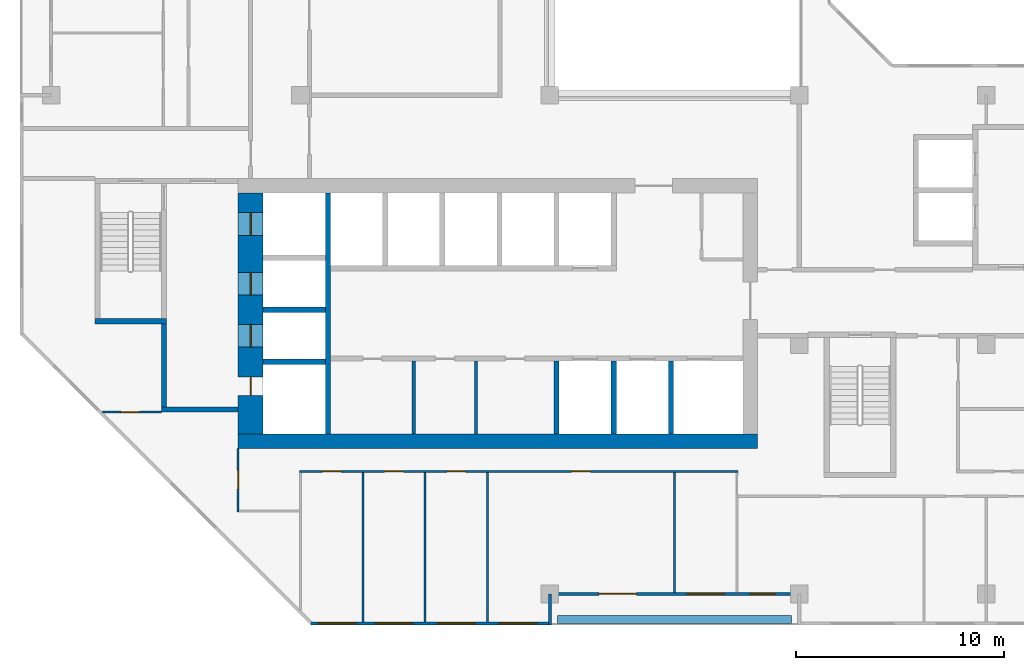
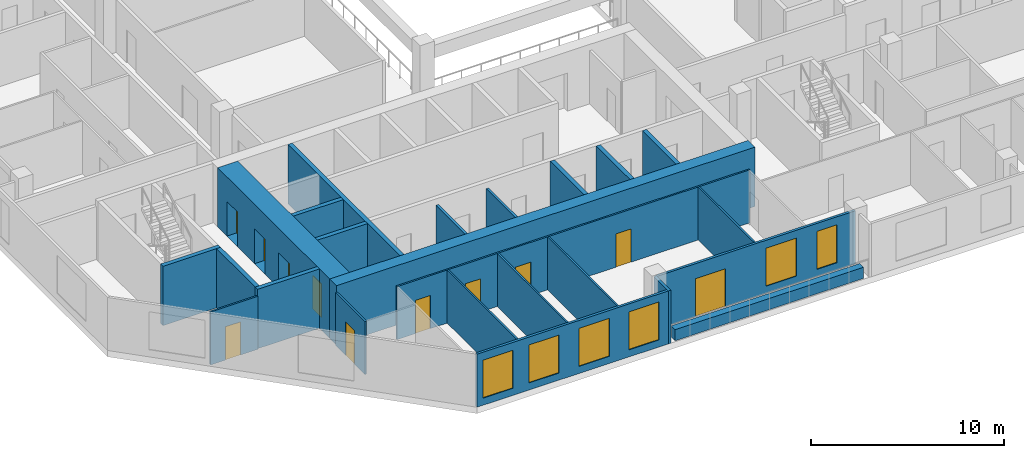
# One storey, part 4 of 16: 24 walls, 11 doors, 6 windows, 17 openings.
"""IFC4 building model written with IfcOpenShell, lengths in metres."""

from ifc_helpers import new_model, si_unit, direction, frame, frame_2d, origin, place, context, subcontext, project, spatial, rectangle, extrude, material, layer, layer_set, type_object, element, fill, save


model = new_model("IFC4")

# Units and contexts
model_context = context("Model", 3, precision=1e-05, world=origin(), true_north=direction((0.0, 1.0)))
body_context = subcontext(model_context, "Body", "Model", "MODEL_VIEW")
ifc_project = project(units=[si_unit("LENGTHUNIT", "METRE"), si_unit("AREAUNIT", "SQUARE_METRE"), si_unit("VOLUMEUNIT", "CUBIC_METRE"), si_unit("PLANEANGLEUNIT", "RADIAN"), si_unit("MASSUNIT", "GRAM", prefix="KILO")], contexts=[model_context])

# Site, building, storey
site_placement = place(None, origin())
site = spatial("IfcSite", under=ifc_project, at=site_placement, CompositionType="ELEMENT")
building_placement = place(site_placement, origin())
building = spatial("IfcBuilding", under=site, at=building_placement, Name="Chenar Terraces", CompositionType="ELEMENT")
storey_placement = place(building_placement, frame((0.0, 0.0, 222.89990234375)))
storey = spatial("IfcBuildingStorey", under=building, at=storey_placement, Name="L52", CompositionType="ELEMENT", Elevation=222.89990234375)

# Walls
ifc_material_1 = material(Name="Gypsum board on steel studs", Category="steel")
ifc_layer_1 = layer(ifc_material_1, 0.14990234375)
ifc_layer_set_1 = layer_set([ifc_layer_1], Name="Gypsum board on steel studs")
wall_type_1 = type_object("IfcWallType", Name="Core partition 150 gypsum board", PredefinedType="PARTITIONING", material=ifc_layer_set_1)
for number, where, z_axis, x_axis, name in (
    (1, (17.449951171875, 7.699951171875, 0.0), (0.0, 0.0, 1.0), (0.0, 1.0, 0.0), "Core partition CP1 freed bay wall"),
    (2, (20.449951171875, 7.699951171875, 0.0), (0.0, 0.0, 1.0), (0.0, 1.0, 0.0), "Core partition CP1 freed bay wall"),
):
    element("IfcWall", number, at=place(storey_placement, frame(where, z_axis=z_axis, x_axis=x_axis)), inside=storey, type_object=wall_type_1, Name=name, PredefinedType="PARTITIONING", context=body_context, shape_type="SweptSolid", body=[
        extrude(rectangle(XDim=3.5, YDim=0.14990234375, at=frame_2d((1.75, 0.0))), origin(), (0.0, 0.0, 1.0), 3.35009765625),
    ])

# Wall, openings, doors
ifc_material_2 = material(Name="Concrete C60/75", Category="concrete")
ifc_layer_2 = layer(ifc_material_2, 1.199951171875)
ifc_layer_set_2 = layer_set([ifc_layer_2], Name="Concrete C60/75")
wall_type_2 = type_object("IfcWallType", Name="Core wall 1200 Concrete C60/75", PredefinedType="SHEAR", material=ifc_layer_set_2)
wall_1_placement = place(storey_placement, frame((9.60009765625, 7.699951171875, 0.0), z_axis=(0.0, 0.0, 1.0), x_axis=(0.0, 1.0, 0.0)))
wall_1 = element("IfcWall", 3, at=wall_1_placement, inside=storey, type_object=wall_type_2, Name="Core wall W L52", PredefinedType="SHEAR", context=body_context, shape_type="SweptSolid", body=[
    extrude(rectangle(XDim=11.60009765625, YDim=1.199951171875, at=frame_2d((5.800048828125, 0.0))), origin(), (0.0, 0.0, 1.0), 3.75),
])
opening_1_placement = place(wall_1_placement, frame((4.175048828125, 0.0, 0.0)))
opening_1 = element("IfcOpeningElement", 4, at=opening_1_placement, cuts=wall_1, Name="Opening DL52-LD5", PredefinedType="OPENING", context=body_context, shape_type="SweptSolid", body=[
    extrude(rectangle(XDim=1.10009765625, YDim=2.199951171875, at=frame_2d((0.550048828125, 1.10009765625))), frame((0.0, 0.60986328125, 0.0), z_axis=(0.0, -1.0, 0.0), x_axis=(1.0, 0.0, 0.0)), (0.0, 0.0, 1.0), 1.219970703125),
])
opening_2_placement = place(wall_1_placement, frame((6.675048828125, 0.0, 0.0)))
opening_2 = element("IfcOpeningElement", 5, at=opening_2_placement, cuts=wall_1, Name="Opening DL52-LD6", PredefinedType="OPENING", context=body_context, shape_type="SweptSolid", body=[
    extrude(rectangle(XDim=1.10009765625, YDim=2.199951171875, at=frame_2d((0.550048828125, 1.10009765625))), frame((0.0, 0.60986328125, 0.0), z_axis=(0.0, -1.0, 0.0), x_axis=(1.0, 0.0, 0.0)), (0.0, 0.0, 1.0), 1.219970703125),
])
opening_3_placement = place(wall_1_placement, frame((9.550048828125, 0.0, 0.0)))
opening_3 = element("IfcOpeningElement", 6, at=opening_3_placement, cuts=wall_1, Name="Opening DL52-LD7", PredefinedType="OPENING", context=body_context, shape_type="SweptSolid", body=[
    extrude(rectangle(XDim=1.10009765625, YDim=2.199951171875, at=frame_2d((0.550048828125, 1.10009765625))), frame((0.0, 0.60986328125, 0.0), z_axis=(0.0, -1.0, 0.0), x_axis=(1.0, 0.0, 0.0)), (0.0, 0.0, 1.0), 1.219970703125),
])
opening_4_placement = place(wall_1_placement, frame((1.85009765625, 0.0, 0.0)))
opening_4 = element("IfcOpeningElement", 7, at=opening_4_placement, cuts=wall_1, Name="Opening DL52-C4", PredefinedType="OPENING", context=body_context, shape_type="SweptSolid", body=[
    extrude(rectangle(XDim=0.89990234375, YDim=2.10009765625, at=frame_2d((0.449951171875, 1.050048828125))), frame((0.0, 0.60986328125, 0.0), z_axis=(0.0, -1.0, 0.0), x_axis=(1.0, 0.0, 0.0)), (0.0, 0.0, 1.0), 1.219970703125),
])
ifc_material_3 = material(Name="Stainless steel", Category="steel")
door_type_1 = type_object("IfcDoorType", Name="Lift landing door 1100 x 2200 sliding", OperationType="DOUBLE_DOOR_SLIDING", PredefinedType="DOOR", material=ifc_material_3)
door_1_placement = place(opening_1_placement, origin())
door_1 = element("IfcDoor", 8, at=door_1_placement, inside=storey, type_object=door_type_1, Name="Landing door S1", OperationType="DOUBLE_DOOR_SLIDING", OverallHeight=2.199951171875, OverallWidth=1.10009765625, PredefinedType="DOOR", context=body_context, shape_type="SweptSolid", body=[
    extrude(rectangle(XDim=1.10009765625, YDim=2.199951171875, at=frame_2d((0.550048828125, 1.10009765625))), frame((0.0, 0.02490234375, 0.0), z_axis=(0.0, -1.0, 0.0), x_axis=(1.0, 0.0, 0.0)), (0.0, 0.0, 1.0), 0.050048828125),
])
fill(opening_1, door_1)
door_2_placement = place(opening_2_placement, origin())
door_2 = element("IfcDoor", 9, at=door_2_placement, inside=storey, type_object=door_type_1, Name="Landing door F1", OperationType="DOUBLE_DOOR_SLIDING", OverallHeight=2.199951171875, OverallWidth=1.10009765625, PredefinedType="DOOR", context=body_context, shape_type="SweptSolid", body=[
    extrude(rectangle(XDim=1.10009765625, YDim=2.199951171875, at=frame_2d((0.550048828125, 1.10009765625))), frame((0.0, 0.02490234375, 0.0), z_axis=(0.0, -1.0, 0.0), x_axis=(1.0, 0.0, 0.0)), (0.0, 0.0, 1.0), 0.050048828125),
])
fill(opening_2, door_2)
door_3_placement = place(opening_3_placement, origin())
door_3 = element("IfcDoor", 10, at=door_3_placement, inside=storey, type_object=door_type_1, Name="Landing door F2", OperationType="DOUBLE_DOOR_SLIDING", OverallHeight=2.199951171875, OverallWidth=1.10009765625, PredefinedType="DOOR", context=body_context, shape_type="SweptSolid", body=[
    extrude(rectangle(XDim=1.10009765625, YDim=2.199951171875, at=frame_2d((0.550048828125, 1.10009765625))), frame((0.0, 0.02490234375, 0.0), z_axis=(0.0, -1.0, 0.0), x_axis=(1.0, 0.0, 0.0)), (0.0, 0.0, 1.0), 0.050048828125),
])
fill(opening_3, door_3)
ifc_material_4 = material(Name="Steel-framed fire-resisting door leaf", Category="steel")
door_type_2 = type_object("IfcDoorType", Name="Riser fire door FD60 900 x 2100", OperationType="SINGLE_SWING_LEFT", PredefinedType="DOOR", material=ifc_material_4)
door_4_placement = place(opening_4_placement, frame((0.89990234375, 0.0, 0.0), z_axis=(0.0, 0.0, 1.0), x_axis=(-1.0, 0.0, 0.0)))
door_4 = element("IfcDoor", 11, at=door_4_placement, inside=storey, type_object=door_type_2, Name="Riser door DL52-C4", OperationType="SINGLE_SWING_LEFT", OverallHeight=2.10009765625, OverallWidth=0.89990234375, PredefinedType="DOOR", context=body_context, shape_type="SweptSolid", body=[
    extrude(rectangle(XDim=0.89990234375, YDim=2.10009765625, at=frame_2d((0.449951171875, 1.050048828125))), frame((0.0, 0.02490234375, 0.0), z_axis=(0.0, -1.0, 0.0), x_axis=(1.0, 0.0, 0.0)), (0.0, 0.0, 1.0), 0.050048828125),
])
fill(opening_4, door_4)

# Walls
ifc_material_5 = material(Name="Concrete C60/75", Category="concrete")
ifc_layer_3 = layer(ifc_material_5, 0.25)
ifc_layer_set_3 = layer_set([ifc_layer_3], Name="Concrete C60/75")
wall_type_3 = type_object("IfcWallType", Name="Core wall 250 Concrete C60/75", PredefinedType="SHEAR", material=ifc_layer_set_3)
wall_2_placement = place(storey_placement, frame((13.324951171875, 7.699951171875, 0.0), z_axis=(0.0, 0.0, 1.0), x_axis=(0.0, 1.0, 0.0)))
element("IfcWall", 12, at=wall_2_placement, inside=storey, type_object=wall_type_3, Name="Core wall WI L52", PredefinedType="SHEAR", context=body_context, shape_type="SweptSolid", body=[
    extrude(rectangle(XDim=11.60009765625, YDim=0.25, at=frame_2d((5.800048828125, 0.0))), origin(), (0.0, 0.0, 1.0), 3.75),
])
for number, where, z_axis, x_axis, name in (
    (13, (10.199951171875, 11.175048828125, 0.0), (0.0, 0.0, 1.0), (1.0, 0.0, 0.0), "Core wall HW0 L52"),
    (14, (10.199951171875, 13.675048828125, 0.0), (0.0, 0.0, 1.0), (1.0, 0.0, 0.0), "Core wall HW1 L52"),
):
    element("IfcWall", number, at=place(storey_placement, frame(where, z_axis=z_axis, x_axis=x_axis)), inside=storey, type_object=wall_type_3, Name=name, PredefinedType="SHEAR", context=body_context, shape_type="SweptSolid", body=[
        extrude(rectangle(XDim=3.0, YDim=0.25, at=frame_2d((1.5, 0.0))), origin(), (0.0, 0.0, 1.0), 3.75),
    ])
for number, where, z_axis, x_axis, name in (
    (15, (24.324951171875, 7.699951171875, 0.0), (0.0, 0.0, 1.0), (0.0, 1.0, 0.0), "Core wall SS3 L52"),
    (16, (27.074951171875, 7.699951171875, 0.0), (0.0, 0.0, 1.0), (0.0, 1.0, 0.0), "Core wall SS4 L52"),
    (17, (29.824951171875, 7.699951171875, 0.0), (0.0, 0.0, 1.0), (0.0, 1.0, 0.0), "Core wall SS5 L52"),
):
    element("IfcWall", number, at=place(storey_placement, frame(where, z_axis=z_axis, x_axis=x_axis)), inside=storey, type_object=wall_type_3, Name=name, PredefinedType="SHEAR", context=body_context, shape_type="SweptSolid", body=[
        extrude(rectangle(XDim=3.5, YDim=0.25, at=frame_2d((1.75, 0.0))), origin(), (0.0, 0.0, 1.0), 3.75),
    ])
wall_3_placement = place(storey_placement, frame((2.10009765625, 13.125, 0.0), z_axis=(0.0, 0.0, 1.0), x_axis=(1.0, 0.0, 0.0)))
element("IfcWall", 18, at=wall_3_placement, inside=storey, type_object=wall_type_3, Name="Core wall ST1_S L52", PredefinedType="SHEAR", context=body_context, shape_type="SweptSolid", body=[
    extrude(rectangle(XDim=3.449951171875, YDim=0.25, at=frame_2d((1.72509765625, 0.0))), origin(), (0.0, 0.0, 1.0), 3.75),
])
wall_4_placement = place(storey_placement, frame((5.300048828125, 8.875, 0.0), z_axis=(0.0, 0.0, 1.0), x_axis=(1.0, 0.0, 0.0)))
element("IfcWall", 19, at=wall_4_placement, inside=storey, type_object=wall_type_3, Name="Core wall FFL_S L52", PredefinedType="SHEAR", context=body_context, shape_type="SweptSolid", body=[
    extrude(rectangle(XDim=3.699951171875, YDim=0.25, at=frame_2d((1.85009765625, 0.0))), origin(), (0.0, 0.0, 1.0), 3.75),
])
wall_5_placement = place(storey_placement, frame((5.425048828125, 9.0, 0.0), z_axis=(0.0, 0.0, 1.0), x_axis=(0.0, 1.0, 0.0)))
element("IfcWall", 20, at=wall_5_placement, inside=storey, type_object=wall_type_3, Name="Core wall FFL_W L52", PredefinedType="SHEAR", context=body_context, shape_type="SweptSolid", body=[
    extrude(rectangle(XDim=4.0, YDim=0.25, at=frame_2d((2.0, 0.0))), origin(), (0.0, 0.0, 1.0), 3.75),
])
ifc_material_6 = material(Name="Concrete C60/75", Category="concrete")
ifc_layer_4 = layer(ifc_material_6, 0.699951171875)
ifc_layer_set_4 = layer_set([ifc_layer_4], Name="Concrete C60/75")
wall_type_4 = type_object("IfcWallType", Name="Core wall 700 Concrete C60/75", PredefinedType="SHEAR", material=ifc_layer_set_4)
wall_6_placement = place(storey_placement, frame((9.0, 7.35009765625, 0.0), z_axis=(0.0, 0.0, 1.0), x_axis=(1.0, 0.0, 0.0)))
element("IfcWall", 21, at=wall_6_placement, inside=storey, type_object=wall_type_4, Name="Core wall S L52", PredefinedType="SHEAR", context=body_context, shape_type="SweptSolid", body=[
    extrude(rectangle(XDim=25.0, YDim=0.699951171875, at=frame_2d((12.5, 0.0))), origin(), (0.0, 0.0, 1.0), 3.75),
])

# Wall, openings, windows
ifc_material_7 = material(Name="Aluminium framed glazing", Category="aluminium")
ifc_layer_5 = layer(ifc_material_7, 0.14990234375)
ifc_layer_set_5 = layer_set([ifc_layer_5], Name="Aluminium framed glazing")
wall_type_5 = type_object("IfcWallType", Name="Glazed flush facade wall 150", PredefinedType="SOLIDWALL", material=ifc_layer_set_5)
wall_7_placement = place(storey_placement, frame((12.5, -1.425048828125, 0.0), z_axis=(0.0, 0.0, 1.0), x_axis=(1.0, 0.0, 0.0)))
wall_7 = element("IfcWall", 22, at=wall_7_placement, inside=storey, type_object=wall_type_5, Name="Glazed flush facade wall", PredefinedType="SOLIDWALL", context=body_context, shape_type="SweptSolid", body=[
    extrude(rectangle(XDim=11.425048828125, YDim=0.14990234375, at=frame_2d((5.71240234375, 0.0))), origin(), (0.0, 0.0, 1.0), 3.35009765625),
])
opening_5_placement = place(wall_7_placement, frame((0.35009765625, 0.0, 0.449951171875)))
opening_5 = element("IfcOpeningElement", 23, at=opening_5_placement, cuts=wall_7, Name="Opening W180x240", PredefinedType="OPENING", context=body_context, shape_type="SweptSolid", body=[
    extrude(rectangle(XDim=1.800048828125, YDim=2.39990234375, at=frame_2d((0.89990234375, 1.199951171875))), frame((0.0, 0.0849609375, 0.0), z_axis=(0.0, -1.0, 0.0), x_axis=(1.0, 0.0, 0.0)), (0.0, 0.0, 1.0), 0.169921875),
])
opening_6_placement = place(wall_7_placement, frame((3.10009765625, 0.0, 0.449951171875)))
opening_6 = element("IfcOpeningElement", 24, at=opening_6_placement, cuts=wall_7, Name="Opening W180x240", PredefinedType="OPENING", context=body_context, shape_type="SweptSolid", body=[
    extrude(rectangle(XDim=1.800048828125, YDim=2.39990234375, at=frame_2d((0.89990234375, 1.199951171875))), frame((0.0, 0.0849609375, 0.0), z_axis=(0.0, -1.0, 0.0), x_axis=(1.0, 0.0, 0.0)), (0.0, 0.0, 1.0), 0.169921875),
])
opening_7_placement = place(wall_7_placement, frame((6.10009765625, 0.0, 0.449951171875)))
opening_7 = element("IfcOpeningElement", 25, at=opening_7_placement, cuts=wall_7, Name="Opening W180x240", PredefinedType="OPENING", context=body_context, shape_type="SweptSolid", body=[
    extrude(rectangle(XDim=1.800048828125, YDim=2.39990234375, at=frame_2d((0.89990234375, 1.199951171875))), frame((0.0, 0.0849609375, 0.0), z_axis=(0.0, -1.0, 0.0), x_axis=(1.0, 0.0, 0.0)), (0.0, 0.0, 1.0), 0.169921875),
])
opening_8_placement = place(wall_7_placement, frame((9.0625, 0.0, 0.449951171875)))
opening_8 = element("IfcOpeningElement", 26, at=opening_8_placement, cuts=wall_7, Name="Opening W180x240", PredefinedType="OPENING", context=body_context, shape_type="SweptSolid", body=[
    extrude(rectangle(XDim=1.800048828125, YDim=2.39990234375, at=frame_2d((0.89990234375, 1.199951171875))), frame((0.0, 0.0849609375, 0.0), z_axis=(0.0, -1.0, 0.0), x_axis=(1.0, 0.0, 0.0)), (0.0, 0.0, 1.0), 0.169921875),
])
ifc_material_8 = material(Name="Low emissivity double glazing, aluminium frame", Category="aluminium")
window_type_1 = type_object("IfcWindowType", Name="Fixed light 1800 x 2400", PartitioningType="SINGLE_PANEL", PredefinedType="WINDOW", material=ifc_material_8)
window_1_placement = place(opening_5_placement, origin())
window_1 = element("IfcWindow", 27, at=window_1_placement, inside=storey, type_object=window_type_1, Name="Window", OverallHeight=2.39990234375, OverallWidth=1.800048828125, PartitioningType="SINGLE_PANEL", PredefinedType="WINDOW", context=body_context, shape_type="SweptSolid", body=[
    extrude(rectangle(XDim=1.800048828125, YDim=2.39990234375, at=frame_2d((0.89990234375, 1.199951171875))), frame((0.0, 0.030029296875, 0.0), z_axis=(0.0, -1.0, 0.0), x_axis=(1.0, 0.0, 0.0)), (0.0, 0.0, 1.0), 0.06005859375),
])
fill(opening_5, window_1)
window_2_placement = place(opening_6_placement, origin())
window_2 = element("IfcWindow", 28, at=window_2_placement, inside=storey, type_object=window_type_1, Name="Window", OverallHeight=2.39990234375, OverallWidth=1.800048828125, PartitioningType="SINGLE_PANEL", PredefinedType="WINDOW", context=body_context, shape_type="SweptSolid", body=[
    extrude(rectangle(XDim=1.800048828125, YDim=2.39990234375, at=frame_2d((0.89990234375, 1.199951171875))), frame((0.0, 0.030029296875, 0.0), z_axis=(0.0, -1.0, 0.0), x_axis=(1.0, 0.0, 0.0)), (0.0, 0.0, 1.0), 0.06005859375),
])
fill(opening_6, window_2)
window_3_placement = place(opening_7_placement, origin())
window_3 = element("IfcWindow", 29, at=window_3_placement, inside=storey, type_object=window_type_1, Name="Window", OverallHeight=2.39990234375, OverallWidth=1.800048828125, PartitioningType="SINGLE_PANEL", PredefinedType="WINDOW", context=body_context, shape_type="SweptSolid", body=[
    extrude(rectangle(XDim=1.800048828125, YDim=2.39990234375, at=frame_2d((0.89990234375, 1.199951171875))), frame((0.0, 0.030029296875, 0.0), z_axis=(0.0, -1.0, 0.0), x_axis=(1.0, 0.0, 0.0)), (0.0, 0.0, 1.0), 0.06005859375),
])
fill(opening_7, window_3)
window_4_placement = place(opening_8_placement, origin())
window_4 = element("IfcWindow", 30, at=window_4_placement, inside=storey, type_object=window_type_1, Name="Window", OverallHeight=2.39990234375, OverallWidth=1.800048828125, PartitioningType="SINGLE_PANEL", PredefinedType="WINDOW", context=body_context, shape_type="SweptSolid", body=[
    extrude(rectangle(XDim=1.800048828125, YDim=2.39990234375, at=frame_2d((0.89990234375, 1.199951171875))), frame((0.0, 0.030029296875, 0.0), z_axis=(0.0, -1.0, 0.0), x_axis=(1.0, 0.0, 0.0)), (0.0, 0.0, 1.0), 0.06005859375),
])
fill(opening_8, window_4)

# Wall, openings, windows, door
ifc_material_9 = material(Name="Aluminium framed glazing", Category="aluminium")
ifc_layer_6 = layer(ifc_material_9, 0.14990234375)
ifc_layer_set_6 = layer_set([ifc_layer_6], Name="Aluminium framed glazing")
wall_type_6 = type_object("IfcWallType", Name="Glazed loggia back wall 150", PredefinedType="SOLIDWALL", material=ifc_layer_set_6)
wall_8_placement = place(storey_placement, frame((24.074951171875, 0.0, 0.0), z_axis=(0.0, 0.0, 1.0), x_axis=(1.0, 0.0, 0.0)))
wall_8 = element("IfcWall", 31, at=wall_8_placement, inside=storey, type_object=wall_type_6, Name="Glazed loggia back wall", PredefinedType="SOLIDWALL", context=body_context, shape_type="SweptSolid", body=[
    extrude(rectangle(XDim=11.85009765625, YDim=0.14990234375, at=frame_2d((5.925048828125, 0.0))), origin(), (0.0, 0.0, 1.0), 3.35009765625),
])
opening_9_placement = place(wall_8_placement, frame((2.28759765625, 0.0, 0.0)))
opening_9 = element("IfcOpeningElement", 32, at=opening_9_placement, cuts=wall_8, Name="Opening DL52-G6", PredefinedType="OPENING", context=body_context, shape_type="SweptSolid", body=[
    extrude(rectangle(XDim=1.800048828125, YDim=2.39990234375, at=frame_2d((0.89990234375, 1.199951171875))), frame((0.0, 0.0849609375, 0.0), z_axis=(0.0, -1.0, 0.0), x_axis=(1.0, 0.0, 0.0)), (0.0, 0.0, 1.0), 0.169921875),
])
opening_10_placement = place(wall_8_placement, frame((6.52490234375, 0.0, 0.449951171875)))
opening_10 = element("IfcOpeningElement", 33, at=opening_10_placement, cuts=wall_8, Name="Opening W180x240", PredefinedType="OPENING", context=body_context, shape_type="SweptSolid", body=[
    extrude(rectangle(XDim=1.800048828125, YDim=2.39990234375, at=frame_2d((0.89990234375, 1.199951171875))), frame((0.0, 0.0849609375, 0.0), z_axis=(0.0, -1.0, 0.0), x_axis=(1.0, 0.0, 0.0)), (0.0, 0.0, 1.0), 0.169921875),
])
opening_11_placement = place(wall_8_placement, frame((9.5625, 0.0, 0.449951171875)))
opening_11 = element("IfcOpeningElement", 34, at=opening_11_placement, cuts=wall_8, Name="Opening W120x240", PredefinedType="OPENING", context=body_context, shape_type="SweptSolid", body=[
    extrude(rectangle(XDim=1.199951171875, YDim=2.39990234375, at=frame_2d((0.60009765625, 1.199951171875))), frame((0.0, 0.0849609375, 0.0), z_axis=(0.0, -1.0, 0.0), x_axis=(1.0, 0.0, 0.0)), (0.0, 0.0, 1.0), 0.169921875),
])
ifc_material_10 = material(Name="Low emissivity double glazing, aluminium frame", Category="aluminium")
window_type_2 = type_object("IfcWindowType", Name="Fixed light 1200 x 2400", PartitioningType="SINGLE_PANEL", PredefinedType="WINDOW", material=ifc_material_10)
window_5_placement = place(opening_11_placement, origin())
window_5 = element("IfcWindow", 35, at=window_5_placement, inside=storey, type_object=window_type_2, Name="Window", OverallHeight=2.39990234375, OverallWidth=1.199951171875, PartitioningType="SINGLE_PANEL", PredefinedType="WINDOW", context=body_context, shape_type="SweptSolid", body=[
    extrude(rectangle(XDim=1.199951171875, YDim=2.39990234375, at=frame_2d((0.60009765625, 1.199951171875))), frame((0.0, 0.030029296875, 0.0), z_axis=(0.0, -1.0, 0.0), x_axis=(1.0, 0.0, 0.0)), (0.0, 0.0, 1.0), 0.06005859375),
])
fill(opening_11, window_5)
window_6_placement = place(opening_10_placement, origin())
window_6 = element("IfcWindow", 36, at=window_6_placement, inside=storey, type_object=window_type_1, Name="Window", OverallHeight=2.39990234375, OverallWidth=1.800048828125, PartitioningType="SINGLE_PANEL", PredefinedType="WINDOW", context=body_context, shape_type="SweptSolid", body=[
    extrude(rectangle(XDim=1.800048828125, YDim=2.39990234375, at=frame_2d((0.89990234375, 1.199951171875))), frame((0.0, 0.030029296875, 0.0), z_axis=(0.0, -1.0, 0.0), x_axis=(1.0, 0.0, 0.0)), (0.0, 0.0, 1.0), 0.06005859375),
])
fill(opening_10, window_6)
ifc_material_11 = material(Name="Low emissivity double glazing, aluminium frame", Category="aluminium")
door_type_3 = type_object("IfcDoorType", Name="Loggia glazed double door 1800 x 2400", OperationType="DOUBLE_DOOR_SINGLE_SWING", PredefinedType="DOOR", material=ifc_material_11)
door_5_placement = place(opening_9_placement, frame((1.800048828125, 0.0, 0.0), z_axis=(0.0, 0.0, 1.0), x_axis=(-1.0, 0.0, 0.0)))
door_5 = element("IfcDoor", 37, at=door_5_placement, inside=storey, type_object=door_type_3, Name="Loggia glazed door", OperationType="DOUBLE_DOOR_SINGLE_SWING", OverallHeight=2.39990234375, OverallWidth=1.800048828125, PredefinedType="DOOR", context=body_context, shape_type="SweptSolid", body=[
    extrude(rectangle(XDim=1.800048828125, YDim=2.39990234375, at=frame_2d((0.89990234375, 1.199951171875))), frame((0.0, 0.02490234375, 0.0), z_axis=(0.0, -1.0, 0.0), x_axis=(1.0, 0.0, 0.0)), (0.0, 0.0, 1.0), 0.050048828125),
])
fill(opening_9, door_5)

# Wall, opening, door
ifc_material_12 = material(Name="Gypsum board on steel studs", Category="steel")
ifc_layer_7 = layer(ifc_material_12, 0.10009765625)
ifc_layer_set_7 = layer_set([ifc_layer_7], Name="Gypsum board on steel studs")
wall_type_7 = type_object("IfcWallType", Name="Gypsum partition 100", PredefinedType="PARTITIONING", material=ifc_layer_set_7)
wall_9_placement = place(storey_placement, frame((2.4609375, 8.75, 0.0), z_axis=(0.0, 0.0, 1.0), x_axis=(1.0, 0.0, 0.0)))
wall_9 = element("IfcWall", 38, at=wall_9_placement, inside=storey, type_object=wall_type_7, Name="Partition L52-014", PredefinedType="PARTITIONING", context=body_context, shape_type="SweptSolid", body=[
    extrude(rectangle(XDim=2.839111328125, YDim=0.10009765625, at=frame_2d((1.41943359375, 0.0))), origin(), (0.0, 0.0, 1.0), 3.35009765625),
])
opening_12_placement = place(wall_9_placement, frame((0.888916015625, 0.0, 0.0)))
opening_12 = element("IfcOpeningElement", 39, at=opening_12_placement, cuts=wall_9, Name="Opening DL52-54", PredefinedType="OPENING", context=body_context, shape_type="SweptSolid", body=[
    extrude(rectangle(XDim=0.89990234375, YDim=2.10009765625, at=frame_2d((0.449951171875, 1.050048828125))), frame((0.0, 0.06005859375, 0.0), z_axis=(0.0, -1.0, 0.0), x_axis=(1.0, 0.0, 0.0)), (0.0, 0.0, 1.0), 0.1201171875),
])
ifc_material_13 = material(Name="Veneered timber door leaf", Category="wood")
door_type_4 = type_object("IfcDoorType", Name="Door 900 x 2100", OperationType="SINGLE_SWING_LEFT", PredefinedType="DOOR", material=ifc_material_13)
door_6_placement = place(opening_12_placement, frame((0.89990234375, 0.0, 0.0), z_axis=(0.0, 0.0, 1.0), x_axis=(-1.0, 0.0, 0.0)))
door_6 = element("IfcDoor", 40, at=door_6_placement, inside=storey, type_object=door_type_4, Name="Door DL52-54", OperationType="SINGLE_SWING_RIGHT", OverallHeight=2.10009765625, OverallWidth=0.89990234375, PredefinedType="DOOR", context=body_context, shape_type="SweptSolid", body=[
    extrude(rectangle(XDim=0.89990234375, YDim=2.10009765625, at=frame_2d((0.449951171875, 1.050048828125))), frame((0.0, 0.02490234375, 0.0), z_axis=(0.0, -1.0, 0.0), x_axis=(1.0, 0.0, 0.0)), (0.0, 0.0, 1.0), 0.050048828125),
])
fill(opening_12, door_6)

wall_10_placement = place(storey_placement, frame((9.0, 3.949951171875, 0.0), z_axis=(0.0, 0.0, 1.0), x_axis=(0.0, 1.0, 0.0)))
wall_10 = element("IfcWall", 41, at=wall_10_placement, inside=storey, type_object=wall_type_7, Name="Partition L52-031", PredefinedType="PARTITIONING", context=body_context, shape_type="SweptSolid", body=[
    extrude(rectangle(XDim=3.050048828125, YDim=0.10009765625, at=frame_2d((1.52490234375, 0.0))), origin(), (0.0, 0.0, 1.0), 3.35009765625),
])
opening_13_placement = place(wall_10_placement, frame((1.10009765625, 0.0, 0.0)))
opening_13 = element("IfcOpeningElement", 42, at=opening_13_placement, cuts=wall_10, Name="Opening DL52-53", PredefinedType="OPENING", context=body_context, shape_type="SweptSolid", body=[
    extrude(rectangle(XDim=0.89990234375, YDim=2.10009765625, at=frame_2d((0.449951171875, 1.050048828125))), frame((0.0, 0.06005859375, 0.0), z_axis=(0.0, -1.0, 0.0), x_axis=(1.0, 0.0, 0.0)), (0.0, 0.0, 1.0), 0.1201171875),
])
door_7_placement = place(opening_13_placement, origin())
door_7 = element("IfcDoor", 43, at=door_7_placement, inside=storey, type_object=door_type_4, Name="Door DL52-53", OperationType="SINGLE_SWING_LEFT", OverallHeight=2.10009765625, OverallWidth=0.89990234375, PredefinedType="DOOR", context=body_context, shape_type="SweptSolid", body=[
    extrude(rectangle(XDim=0.89990234375, YDim=2.10009765625, at=frame_2d((0.449951171875, 1.050048828125))), frame((0.0, 0.02490234375, 0.0), z_axis=(0.0, -1.0, 0.0), x_axis=(1.0, 0.0, 0.0)), (0.0, 0.0, 1.0), 0.050048828125),
])
fill(opening_13, door_7)

# Wall, openings, doors
wall_11_placement = place(storey_placement, frame((11.949951171875, 5.89990234375, 0.0), z_axis=(0.0, 0.0, 1.0), x_axis=(1.0, 0.0, 0.0)))
wall_11 = element("IfcWall", 44, at=wall_11_placement, inside=storey, type_object=wall_type_7, Name="Partition L52-034", PredefinedType="PARTITIONING", context=body_context, shape_type="SweptSolid", body=[
    extrude(rectangle(XDim=21.10009765625, YDim=0.10009765625, at=frame_2d((10.550048828125, 0.0))), origin(), (0.0, 0.0, 1.0), 3.35009765625),
])
opening_14_placement = place(wall_11_placement, frame((1.10009765625, 0.0, 0.0)))
opening_14 = element("IfcOpeningElement", 45, at=opening_14_placement, cuts=wall_11, Name="Opening DL52-45", PredefinedType="OPENING", context=body_context, shape_type="SweptSolid", body=[
    extrude(rectangle(XDim=0.89990234375, YDim=2.10009765625, at=frame_2d((0.449951171875, 1.050048828125))), frame((0.0, 0.06005859375, 0.0), z_axis=(0.0, -1.0, 0.0), x_axis=(1.0, 0.0, 0.0)), (0.0, 0.0, 1.0), 0.1201171875),
])
opening_15_placement = place(wall_11_placement, frame((4.10009765625, 0.0, 0.0)))
opening_15 = element("IfcOpeningElement", 46, at=opening_15_placement, cuts=wall_11, Name="Opening DL52-46", PredefinedType="OPENING", context=body_context, shape_type="SweptSolid", body=[
    extrude(rectangle(XDim=0.89990234375, YDim=2.10009765625, at=frame_2d((0.449951171875, 1.050048828125))), frame((0.0, 0.06005859375, 0.0), z_axis=(0.0, -1.0, 0.0), x_axis=(1.0, 0.0, 0.0)), (0.0, 0.0, 1.0), 0.1201171875),
])
opening_16_placement = place(wall_11_placement, frame((7.10009765625, 0.0, 0.0)))
opening_16 = element("IfcOpeningElement", 47, at=opening_16_placement, cuts=wall_11, Name="Opening DL52-47", PredefinedType="OPENING", context=body_context, shape_type="SweptSolid", body=[
    extrude(rectangle(XDim=0.89990234375, YDim=2.10009765625, at=frame_2d((0.449951171875, 1.050048828125))), frame((0.0, 0.06005859375, 0.0), z_axis=(0.0, -1.0, 0.0), x_axis=(1.0, 0.0, 0.0)), (0.0, 0.0, 1.0), 0.1201171875),
])
opening_17_placement = place(wall_11_placement, frame((13.10009765625, 0.0, 0.0)))
opening_17 = element("IfcOpeningElement", 48, at=opening_17_placement, cuts=wall_11, Name="Opening DL52-58", PredefinedType="OPENING", context=body_context, shape_type="SweptSolid", body=[
    extrude(rectangle(XDim=0.89990234375, YDim=2.10009765625, at=frame_2d((0.449951171875, 1.050048828125))), frame((0.0, 0.06005859375, 0.0), z_axis=(0.0, -1.0, 0.0), x_axis=(1.0, 0.0, 0.0)), (0.0, 0.0, 1.0), 0.1201171875),
])
door_8_placement = place(opening_14_placement, frame((0.89990234375, 0.0, 0.0), z_axis=(0.0, 0.0, 1.0), x_axis=(-1.0, 0.0, 0.0)))
door_8 = element("IfcDoor", 49, at=door_8_placement, inside=storey, type_object=door_type_4, Name="Door DL52-45", OperationType="SINGLE_SWING_RIGHT", OverallHeight=2.10009765625, OverallWidth=0.89990234375, PredefinedType="DOOR", context=body_context, shape_type="SweptSolid", body=[
    extrude(rectangle(XDim=0.89990234375, YDim=2.10009765625, at=frame_2d((0.449951171875, 1.050048828125))), frame((0.0, 0.02490234375, 0.0), z_axis=(0.0, -1.0, 0.0), x_axis=(1.0, 0.0, 0.0)), (0.0, 0.0, 1.0), 0.050048828125),
])
fill(opening_14, door_8)
door_9_placement = place(opening_15_placement, frame((0.89990234375, 0.0, 0.0), z_axis=(0.0, 0.0, 1.0), x_axis=(-1.0, 0.0, 0.0)))
door_9 = element("IfcDoor", 50, at=door_9_placement, inside=storey, type_object=door_type_4, Name="Door DL52-46", OperationType="SINGLE_SWING_RIGHT", OverallHeight=2.10009765625, OverallWidth=0.89990234375, PredefinedType="DOOR", context=body_context, shape_type="SweptSolid", body=[
    extrude(rectangle(XDim=0.89990234375, YDim=2.10009765625, at=frame_2d((0.449951171875, 1.050048828125))), frame((0.0, 0.02490234375, 0.0), z_axis=(0.0, -1.0, 0.0), x_axis=(1.0, 0.0, 0.0)), (0.0, 0.0, 1.0), 0.050048828125),
])
fill(opening_15, door_9)
door_10_placement = place(opening_16_placement, frame((0.89990234375, 0.0, 0.0), z_axis=(0.0, 0.0, 1.0), x_axis=(-1.0, 0.0, 0.0)))
door_10 = element("IfcDoor", 51, at=door_10_placement, inside=storey, type_object=door_type_4, Name="Door DL52-47", OperationType="SINGLE_SWING_RIGHT", OverallHeight=2.10009765625, OverallWidth=0.89990234375, PredefinedType="DOOR", context=body_context, shape_type="SweptSolid", body=[
    extrude(rectangle(XDim=0.89990234375, YDim=2.10009765625, at=frame_2d((0.449951171875, 1.050048828125))), frame((0.0, 0.02490234375, 0.0), z_axis=(0.0, -1.0, 0.0), x_axis=(1.0, 0.0, 0.0)), (0.0, 0.0, 1.0), 0.050048828125),
])
fill(opening_16, door_10)
door_11_placement = place(opening_17_placement, frame((0.89990234375, 0.0, 0.0), z_axis=(0.0, 0.0, 1.0), x_axis=(-1.0, 0.0, 0.0)))
door_11 = element("IfcDoor", 52, at=door_11_placement, inside=storey, type_object=door_type_4, Name="Door DL52-58", OperationType="SINGLE_SWING_RIGHT", OverallHeight=2.10009765625, OverallWidth=0.89990234375, PredefinedType="DOOR", context=body_context, shape_type="SweptSolid", body=[
    extrude(rectangle(XDim=0.89990234375, YDim=2.10009765625, at=frame_2d((0.449951171875, 1.050048828125))), frame((0.0, 0.02490234375, 0.0), z_axis=(0.0, -1.0, 0.0), x_axis=(1.0, 0.0, 0.0)), (0.0, 0.0, 1.0), 0.050048828125),
])
fill(opening_17, door_11)

# Walls
for number, where, z_axis, x_axis, name in (
    (53, (15.0, -1.35107421875, 0.0), (0.0, 0.0, 1.0), (0.0, 1.0, 0.0), "Partition L52-046"),
    (54, (18.0, -1.35107421875, 0.0), (0.0, 0.0, 1.0), (0.0, 1.0, 0.0), "Partition L52-054"),
):
    element("IfcWall", number, at=place(storey_placement, frame(where, z_axis=z_axis, x_axis=x_axis)), inside=storey, type_object=wall_type_7, Name=name, PredefinedType="PARTITIONING", context=body_context, shape_type="SweptSolid", body=[
        extrude(rectangle(XDim=7.201171875, YDim=0.10009765625, at=frame_2d((3.6005859375, 0.0))), origin(), (0.0, 0.0, 1.0), 3.35009765625),
    ])
wall_12_placement = place(storey_placement, frame((21.0, -1.35009765625, 0.0), z_axis=(0.0, 0.0, 1.0), x_axis=(0.0, 1.0, 0.0)))
element("IfcWall", 55, at=wall_12_placement, inside=storey, type_object=wall_type_7, Name="Partition L52-058", PredefinedType="PARTITIONING", context=body_context, shape_type="SweptSolid", body=[
    extrude(rectangle(XDim=7.2001953125, YDim=0.10009765625, at=frame_2d((3.60009765625, 0.0))), origin(), (0.0, 0.0, 1.0), 3.35009765625),
])
wall_13_placement = place(storey_placement, frame((30.0, 0.073974609375, 0.0), z_axis=(0.0, 0.0, 1.0), x_axis=(0.0, 1.0, 0.0)))
element("IfcWall", 56, at=wall_13_placement, inside=storey, type_object=wall_type_7, Name="Partition L52-060", PredefinedType="PARTITIONING", context=body_context, shape_type="SweptSolid", body=[
    extrude(rectangle(XDim=5.776123046875, YDim=0.10009765625, at=frame_2d((2.88818359375, 0.0))), origin(), (0.0, 0.0, 1.0), 3.35009765625),
])
ifc_material_14 = material(Name="Terracotta cladding on insulated backing", Category="masonry")
ifc_layer_8 = layer(ifc_material_14, 0.14990234375)
ifc_layer_set_8 = layer_set([ifc_layer_8], Name="Terracotta cladding on insulated backing")
wall_type_8 = type_object("IfcWallType", Name="Loggia return wall 150", PredefinedType="SOLIDWALL", material=ifc_layer_set_8)
wall_14_placement = place(storey_placement, frame((24.0, -1.5, 0.0), z_axis=(0.0, 0.0, 1.0), x_axis=(0.0, 1.0, 0.0)))
element("IfcWall", 57, at=wall_14_placement, inside=storey, type_object=wall_type_8, Name="Loggia return wall", PredefinedType="SOLIDWALL", context=body_context, shape_type="SweptSolid", body=[
    extrude(rectangle(XDim=1.5, YDim=0.14990234375, at=frame_2d((0.75, 0.0))), origin(), (0.0, 0.0, 1.0), 3.35009765625),
])
ifc_material_15 = material(Name="GRP planter trough")
ifc_layer_9 = layer(ifc_material_15, 0.39990234375)
ifc_layer_set_9 = layer_set([ifc_layer_9], Name="GRP planter trough")
wall_type_9 = type_object("IfcWallType", Name="Vertical greenery planter 400", PredefinedType="SOLIDWALL", material=ifc_layer_set_9)
wall_15_placement = place(storey_placement, frame((24.375, -1.22900390625, 0.0), z_axis=(0.0, 0.0, 1.0), x_axis=(1.0, 0.0, 0.0)))
element("IfcWall", 58, at=wall_15_placement, inside=storey, type_object=wall_type_9, Name="Vertical greenery planter", PredefinedType="SOLIDWALL", context=body_context, shape_type="SweptSolid", body=[
    extrude(rectangle(XDim=11.25, YDim=0.39990234375, at=frame_2d((5.625, 0.0))), origin(), (0.0, 0.0, 1.0), 0.7001953125),
])

save(model, "model.ifc")
